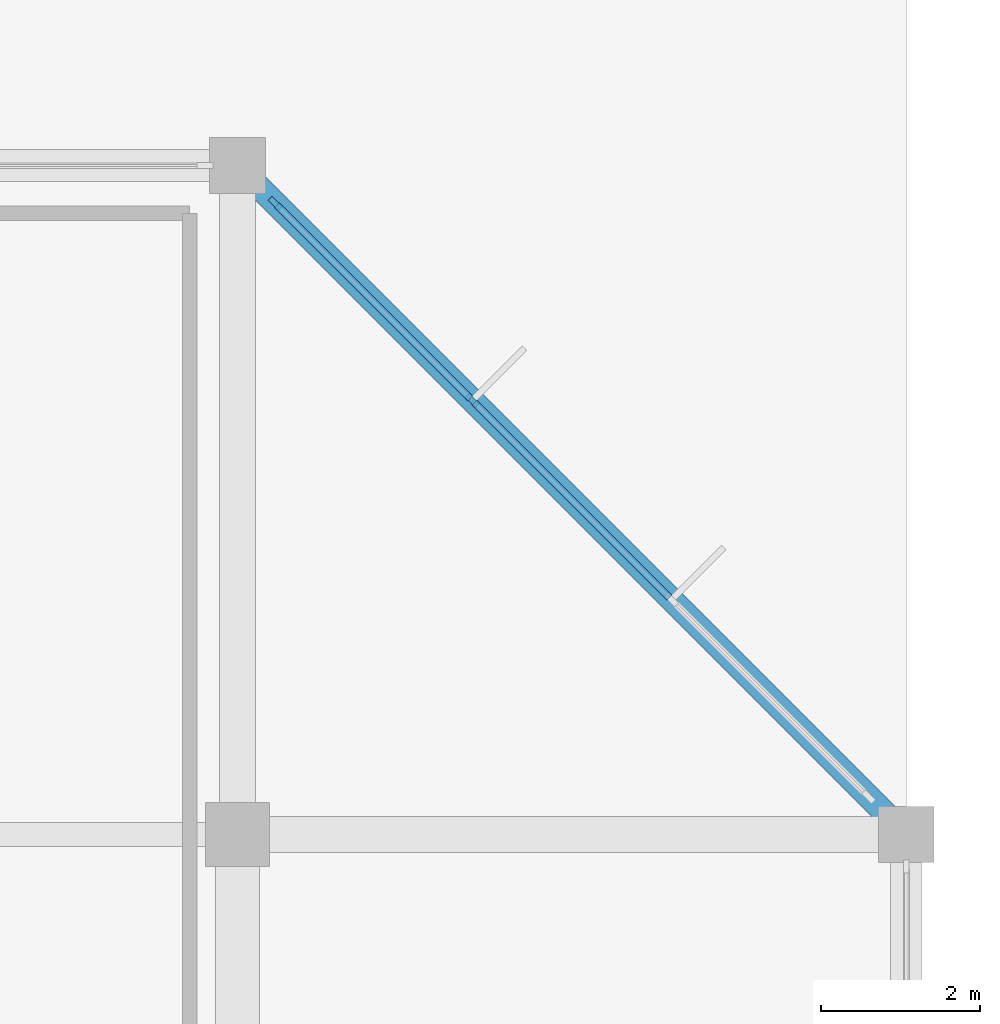
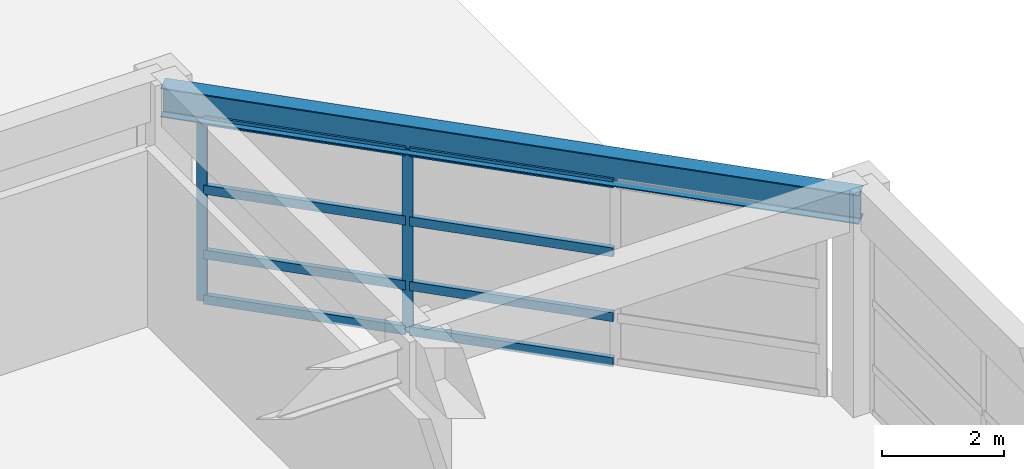
# One storey, part 35 of 60: 10 members, 1 beam, 1 element without a shape of its own.
"""IFC4 building model written with IfcOpenShell, lengths in metres."""

from ifc_helpers import new_model, si_unit, direction, frame, origin, origin_2d, place, context, subcontext, project, spatial, rectangle, i_section, extrude, material, material_profile, profile_set, type_object, element, aggregate, save


model = new_model("IFC4")

# Units and contexts
model_context = context("Model", 3, precision=1e-05, world=origin(), true_north=direction((0.0, 1.0)))
body_context = subcontext(model_context, "Body", "Model", "MODEL_VIEW")
ifc_project = project(units=[si_unit("LENGTHUNIT", "METRE"), si_unit("AREAUNIT", "SQUARE_METRE"), si_unit("VOLUMEUNIT", "CUBIC_METRE"), si_unit("PLANEANGLEUNIT", "RADIAN"), si_unit("MASSUNIT", "GRAM", prefix="KILO")], contexts=[model_context])

# Site, building, storey
site_placement = place(None, origin())
site = spatial("IfcSite", under=ifc_project, at=site_placement, CompositionType="ELEMENT")
building_placement = place(site_placement, origin())
building = spatial("IfcBuilding", under=site, at=building_placement, Name="Xuanlan Plaza Opera House", CompositionType="ELEMENT")
storey_placement = place(building_placement, frame((0.0, 0.0, 9.89990234375)))
storey = spatial("IfcBuildingStorey", under=building, at=storey_placement, Name="L02", CompositionType="ELEMENT", Elevation=9.89990234375)

# Curtain wall, members
ifc_material_1 = material(Name="Anodised Aluminium 6063-T6 and Low-E Glass", Category="aluminium")
curtain_wall_type = type_object("IfcCurtainWallType", Name="ENV-CW-CW-04", PredefinedType="USERDEFINED", material=ifc_material_1)
curtain_wall_placement = place(storey_placement, origin())
curtain_wall = element("IfcCurtainWall", 1, at=curtain_wall_placement, inside=storey, type_object=curtain_wall_type, Name="Unitised Curtain Wall L02-028", ObjectType="UNITISED CURTAIN WALL", PredefinedType="USERDEFINED")
ifc_material_2 = material(Name="Anodised Aluminium 6063-T6", Category="aluminium")
ifc_material_profile_1 = material_profile(ifc_material_2, rectangle(XDim=0.070068359375, YDim=0.179931640625, at=origin_2d()), Name="ALU-M 70x180")
ifc_profile_set_1 = profile_set([ifc_material_profile_1], Name="Anodised Aluminium 6063-T6")
member_type_1 = type_object("IfcMemberType", Name="ENV-CWM-02", PredefinedType="MULLION", material=ifc_profile_set_1)
member_1_placement = place(storey_placement, frame((162.549560546875, 97.850341796875, 0.0), z_axis=(0.0, 0.0, 1.0), x_axis=(-0.707106781187, -0.707106781187, 0.0)))
member_1 = element("IfcMember", 2, at=member_1_placement, type_object=member_type_1, Name="CW-04 mullion 3", PredefinedType="MULLION", context=body_context, shape_type="SweptSolid", body=[
    extrude(rectangle(XDim=0.070068359375, YDim=0.179931640625, at=origin_2d()), origin(), (0.0, 0.0, 1.0), 3.68017578125),
])
member_2_placement = place(storey_placement, frame((160.07373046875, 100.326171875, 0.0), z_axis=(0.0, 0.0, 1.0), x_axis=(-0.707106781187, -0.707106781187, 0.0)))
member_2 = element("IfcMember", 3, at=member_2_placement, type_object=member_type_1, Name="CW-04 mullion 4", PredefinedType="MULLION", context=body_context, shape_type="SweptSolid", body=[
    extrude(rectangle(XDim=0.070068359375, YDim=0.179931640625, at=origin_2d()), origin(), (0.0, 0.0, 1.0), 3.68017578125),
])
ifc_material_profile_2 = material_profile(ifc_material_2, rectangle(XDim=0.090087890625, YDim=0.179931640625, at=origin_2d()), Name="ALU-T 90x180")
ifc_profile_set_2 = profile_set([ifc_material_profile_2], Name="Anodised Aluminium 6063-T6")
member_type_2 = type_object("IfcMemberType", Name="ENV-CWT-05", PredefinedType="USERDEFINED", material=ifc_profile_set_2)
member_3_placement = place(storey_placement, frame((165.025634765625, 95.37451171875, 0.045166015625), z_axis=(-0.707106781187, 0.707106781187, 0.0), x_axis=(-0.707106781187, -0.707106781187, 0.0)))
member_3 = element("IfcMember", 4, at=member_3_placement, type_object=member_type_2, Name="CW-04 transom 2.1", ObjectType="TRANSOM", PredefinedType="USERDEFINED", context=body_context, shape_type="SweptSolid", body=[
    extrude(rectangle(XDim=0.090087890625, YDim=0.179931640625, at=origin_2d()), origin(), (0.0, 0.0, 1.0), 3.466552734375),
])
member_4_placement = place(storey_placement, frame((165.025634765625, 95.37451171875, 0.9501953125), z_axis=(-0.707106781187, 0.707106781187, 0.0), x_axis=(-0.707106781187, -0.707106781187, 0.0)))
member_4 = element("IfcMember", 5, at=member_4_placement, type_object=member_type_2, Name="CW-04 transom 2.2", ObjectType="TRANSOM", PredefinedType="USERDEFINED", context=body_context, shape_type="SweptSolid", body=[
    extrude(rectangle(XDim=0.090087890625, YDim=0.179931640625, at=origin_2d()), origin(), (0.0, 0.0, 1.0), 3.466552734375),
])
member_5_placement = place(storey_placement, frame((165.025634765625, 95.37451171875, 2.25), z_axis=(-0.707106781187, 0.707106781187, 0.0), x_axis=(-0.707106781187, -0.707106781187, 0.0)))
member_5 = element("IfcMember", 6, at=member_5_placement, type_object=member_type_2, Name="CW-04 transom 2.3", ObjectType="TRANSOM", PredefinedType="USERDEFINED", context=body_context, shape_type="SweptSolid", body=[
    extrude(rectangle(XDim=0.090087890625, YDim=0.179931640625, at=origin_2d()), origin(), (0.0, 0.0, 1.0), 3.466552734375),
])
member_6_placement = place(storey_placement, frame((165.025634765625, 95.37451171875, 3.635009765625), z_axis=(-0.707106781187, 0.707106781187, 0.0), x_axis=(-0.707106781187, -0.707106781187, 0.0)))
member_6 = element("IfcMember", 7, at=member_6_placement, type_object=member_type_2, Name="CW-04 transom 2.4", ObjectType="TRANSOM", PredefinedType="USERDEFINED", context=body_context, shape_type="SweptSolid", body=[
    extrude(rectangle(XDim=0.090087890625, YDim=0.179931640625, at=origin_2d()), origin(), (0.0, 0.0, 1.0), 3.466552734375),
])
member_7_placement = place(storey_placement, frame((162.52490234375, 97.875, 0.045166015625), z_axis=(-0.707106781187, 0.707106781187, 0.0), x_axis=(-0.707106781187, -0.707106781187, 0.0)))
member_7 = element("IfcMember", 8, at=member_7_placement, type_object=member_type_2, Name="CW-04 transom 3.1", ObjectType="TRANSOM", PredefinedType="USERDEFINED", context=body_context, shape_type="SweptSolid", body=[
    extrude(rectangle(XDim=0.090087890625, YDim=0.179931640625, at=origin_2d()), origin(), (0.0, 0.0, 1.0), 3.431640625),
])
member_8_placement = place(storey_placement, frame((162.52490234375, 97.875, 0.9501953125), z_axis=(-0.707106781187, 0.707106781187, 0.0), x_axis=(-0.707106781187, -0.707106781187, 0.0)))
member_8 = element("IfcMember", 9, at=member_8_placement, type_object=member_type_2, Name="CW-04 transom 3.2", ObjectType="TRANSOM", PredefinedType="USERDEFINED", context=body_context, shape_type="SweptSolid", body=[
    extrude(rectangle(XDim=0.090087890625, YDim=0.179931640625, at=origin_2d()), origin(), (0.0, 0.0, 1.0), 3.431640625),
])
member_9_placement = place(storey_placement, frame((162.52490234375, 97.875, 2.25), z_axis=(-0.707106781187, 0.707106781187, 0.0), x_axis=(-0.707106781187, -0.707106781187, 0.0)))
member_9 = element("IfcMember", 10, at=member_9_placement, type_object=member_type_2, Name="CW-04 transom 3.3", ObjectType="TRANSOM", PredefinedType="USERDEFINED", context=body_context, shape_type="SweptSolid", body=[
    extrude(rectangle(XDim=0.090087890625, YDim=0.179931640625, at=origin_2d()), origin(), (0.0, 0.0, 1.0), 3.431640625),
])
member_10_placement = place(storey_placement, frame((162.52490234375, 97.875, 3.635009765625), z_axis=(-0.707106781187, 0.707106781187, 0.0), x_axis=(-0.707106781187, -0.707106781187, 0.0)))
member_10 = element("IfcMember", 11, at=member_10_placement, type_object=member_type_2, Name="CW-04 transom 3.4", ObjectType="TRANSOM", PredefinedType="USERDEFINED", context=body_context, shape_type="SweptSolid", body=[
    extrude(rectangle(XDim=0.090087890625, YDim=0.179931640625, at=origin_2d()), origin(), (0.0, 0.0, 1.0), 3.431640625),
])
aggregate(curtain_wall, [member_1, member_2, member_3, member_4, member_5, member_6, member_7, member_8, member_9, member_10])

# Beam
ifc_material_3 = material(Name="Steel Q355B", Category="steel")
ifc_material_profile_3 = material_profile(ifc_material_3, i_section(OverallWidth=0.300048828125, OverallDepth=0.587890625, WebThickness=0.011962890625, FlangeThickness=0.02001953125, FilletRadius=0.02392578125, at=origin_2d()), Name="HM 588x300x12x20")
ifc_profile_set_3 = profile_set([ifc_material_profile_3], Name="Steel Q355B")
beam_type = type_object("IfcBeamType", Name="STR-BM-SP-03", PredefinedType="SPANDREL", material=ifc_profile_set_3)
beam_placement = place(storey_placement, frame((159.60009765625, 100.800048828125, 3.941162109375), z_axis=(0.707096505339, -0.707117056885, 0.0), x_axis=(0.707117056885, 0.707096505339, 0.0)))
element("IfcBeam", 12, at=beam_placement, inside=storey, type_object=beam_type, Name="Faceted Edge Spandrel L02 CH13", PredefinedType="SPANDREL", context=body_context, shape_type="SweptSolid", body=[
    extrude(i_section(OverallWidth=0.300048828125, OverallDepth=0.587890625, WebThickness=0.011962890625, FlangeThickness=0.02001953125, FilletRadius=0.02392578125, at=origin_2d()), origin(), (0.0, 0.0, 1.0), 11.87939453125),
])

save(model, "model.ifc")
